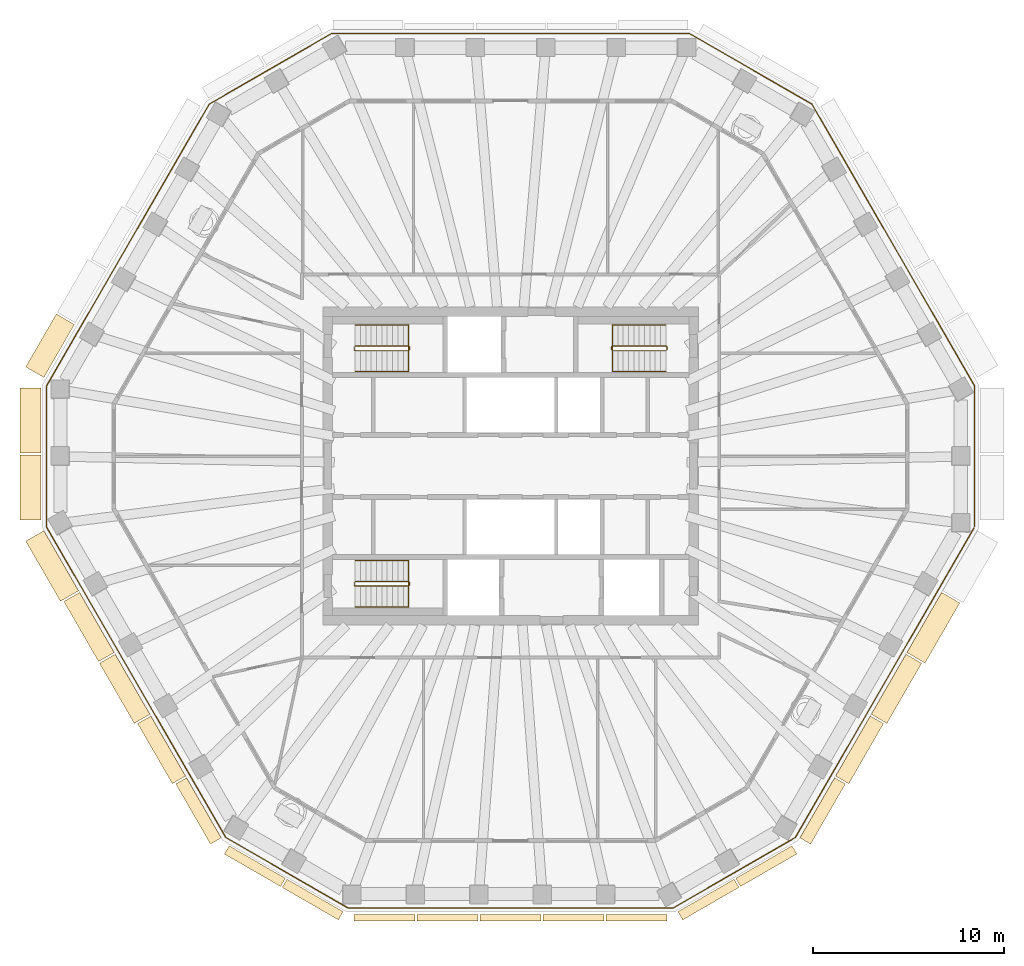
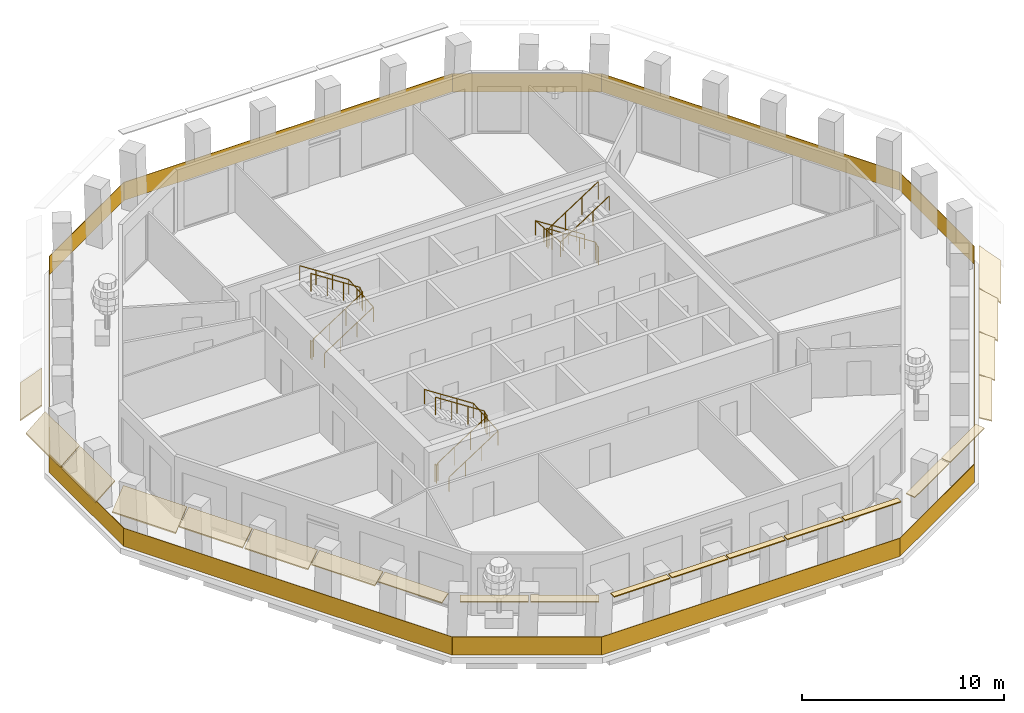
# One storey, part 8 of 11: 21 coverings, 7 railings.
"""IFC4 building model written with IfcOpenShell, lengths in metres."""

from ifc_helpers import new_model, si_unit, direction, frame, origin, origin_2d, place, context, subcontext, project, spatial, polyline, rectangle, circle, outline, extrude, material, layer, layer_set, type_object, element, save


model = new_model("IFC4")

# Units and contexts
model_context = context("Model", 3, precision=1e-05, world=origin(), true_north=direction((0.0, 1.0)))
body_context = subcontext(model_context, "Body", "Model", "MODEL_VIEW")
ifc_project = project(units=[si_unit("LENGTHUNIT", "METRE"), si_unit("AREAUNIT", "SQUARE_METRE"), si_unit("VOLUMEUNIT", "CUBIC_METRE"), si_unit("PLANEANGLEUNIT", "RADIAN"), si_unit("MASSUNIT", "GRAM", prefix="KILO")], contexts=[model_context])

# Site, building, storey
site_placement = place(None, origin())
site = spatial("IfcSite", under=ifc_project, at=site_placement, CompositionType="ELEMENT")
building_placement = place(site_placement, origin())
building = spatial("IfcBuilding", under=site, at=building_placement, Name="Frailejon Research Tower", CompositionType="ELEMENT")
storey_placement = place(building_placement, frame((0.0, 0.0, 279.0)))
storey = spatial("IfcBuildingStorey", under=building, at=storey_placement, Name="L61", CompositionType="ELEMENT", Elevation=279.0)

# Coverings
ifc_material_1 = material(Name="Precast concrete C50/60", Category="concrete")
ifc_layer_1 = layer(ifc_material_1, 0.06005859375)
ifc_layer_set_1 = layer_set([ifc_layer_1], Name="Brim blade depth 1100")
covering_type_1 = type_object("IfcCoveringType", Name="Brim blade depth 1100", PredefinedType="CLADDING", material=ifc_layer_set_1)
covering_1_placement = place(storey_placement, frame((-24.484375, 4.648681640625, 3.85009765625), z_axis=(0.500013043119, 0.866017873205, 0.0), x_axis=(-0.866017873205, 0.500013043119, 0.0)))
element("IfcCovering", 1, at=covering_1_placement, inside=storey, type_object=covering_type_1, Name="Brim blade L61", PredefinedType="CLADDING", context=body_context, shape_type="SweptSolid", body=[
    extrude(outline(polyline([(0.0, -0.078369140625), (1.10009765625, -1.001220703125), (1.10009765625, -0.923095703125), (0.0, 0.0), (0.0, -0.078369140625)])), origin(), (0.0, 0.0, 1.0), 3.20654296875),
])
covering_2_placement = place(storey_placement, frame((-24.63671875, 0.678466796875, 3.85009765625), z_axis=(0.0, 1.0, 0.0), x_axis=(-1.0, 0.0, 0.0)))
element("IfcCovering", 2, at=covering_2_placement, inside=storey, type_object=covering_type_1, Name="Brim blade L61", PredefinedType="CLADDING", context=body_context, shape_type="SweptSolid", body=[
    extrude(outline(polyline([(0.0, -0.078369140625), (1.10009765625, -1.001220703125), (1.10009765625, -0.923095703125), (0.0, 0.0), (0.0, -0.078369140625)])), origin(), (0.0, 0.0, 1.0), 3.402099609375),
])
covering_3_placement = place(storey_placement, frame((-24.63671875, -2.823486328125, 3.85009765625), z_axis=(0.0, 1.0, 0.0), x_axis=(-1.0, 0.0, 0.0)))
element("IfcCovering", 3, at=covering_3_placement, inside=storey, type_object=covering_type_1, Name="Brim blade L61", PredefinedType="CLADDING", context=body_context, shape_type="SweptSolid", body=[
    extrude(outline(polyline([(0.0, -0.078369140625), (1.10009765625, -1.001220703125), (1.10009765625, -0.923095703125), (0.0, 0.0), (0.0, -0.078369140625)])), origin(), (0.0, 0.0, 1.0), 3.40185546875),
])
covering_4_placement = place(storey_placement, frame((-22.663330078125, -6.5458984375, 3.85009765625), z_axis=(-0.499996188274, 0.866027604474, 0.0), x_axis=(-0.866027604474, -0.499996188274, 0.0)))
element("IfcCovering", 4, at=covering_4_placement, inside=storey, type_object=covering_type_1, Name="Brim blade L61", PredefinedType="CLADDING", context=body_context, shape_type="SweptSolid", body=[
    extrude(outline(polyline([(0.0, -0.078369140625), (1.10009765625, -1.001220703125), (1.10009765625, -0.923095703125), (0.0, 0.0), (0.0, -0.078369140625)])), origin(), (0.0, 0.0, 1.0), 3.64208984375),
])
covering_5_placement = place(storey_placement, frame((22.61328125, -6.63232421875, 3.85009765625), z_axis=(-0.500007760217, -0.866020923375, 0.0), x_axis=(0.866020923375, -0.500007760217, 0.0)))
element("IfcCovering", 5, at=covering_5_placement, inside=storey, type_object=covering_type_1, Name="Brim blade L61", PredefinedType="CLADDING", context=body_context, shape_type="SweptSolid", body=[
    extrude(outline(polyline([(0.0, -0.078369140625), (1.10009765625, -1.001220703125), (1.10009765625, -0.923095703125), (0.0, 0.0), (0.0, -0.078369140625)])), origin(), (0.0, 0.0, 1.0), 3.641845703125),
])
ifc_material_2 = material(Name="Precast concrete C50/60", Category="concrete")
ifc_layer_2 = layer(ifc_material_2, 0.06005859375)
ifc_layer_set_2 = layer_set([ifc_layer_2], Name="Brim blade depth 350")
covering_type_2 = type_object("IfcCoveringType", Name="Brim blade depth 350", PredefinedType="CLADDING", material=ifc_layer_set_2)
for number, where, z_axis, x_axis, name in (
    (6, (-5.009765625, -23.528564453125, 3.85009765625), (-1.0, 0.0, 0.0), (0.0, -1.0, 0.0), "Brim blade L61"),
    (7, (-1.703125, -23.528564453125, 3.85009765625), (-1.0, 0.0, 0.0), (0.0, -1.0, 0.0), "Brim blade L61"),
):
    element("IfcCovering", number, at=place(storey_placement, frame(where, z_axis=z_axis, x_axis=x_axis)), inside=storey, type_object=covering_type_2, Name=name, PredefinedType="CLADDING", context=body_context, shape_type="SweptSolid", body=[
        extrude(outline(polyline([(0.0, -0.06005859375), (0.35009765625, -0.06005859375), (0.35009765625, 0.0), (0.0, 0.0), (0.0, -0.06005859375)])), origin(), (0.0, 0.0, 1.0), 3.20654296875),
    ])
covering_6_placement = place(storey_placement, frame((1.603271484375, -23.528564453125, 3.85009765625), z_axis=(-1.0, 0.0, 0.0), x_axis=(0.0, -1.0, 0.0)))
element("IfcCovering", 8, at=covering_6_placement, inside=storey, type_object=covering_type_2, Name="Brim blade L61", PredefinedType="CLADDING", context=body_context, shape_type="SweptSolid", body=[
    extrude(outline(polyline([(0.0, -0.06005859375), (0.35009765625, -0.06005859375), (0.35009765625, 0.0), (0.0, 0.0), (0.0, -0.06005859375)])), origin(), (0.0, 0.0, 1.0), 3.206298828125),
])
for number, where, z_axis, x_axis, name in (
    (9, (4.90966796875, -23.528564453125, 3.85009765625), (-1.0, 0.0, 0.0), (0.0, -1.0, 0.0), "Brim blade L61"),
    (10, (8.21630859375, -23.528564453125, 3.85009765625), (-1.0, 0.0, 0.0), (0.0, -1.0, 0.0), "Brim blade L61"),
):
    element("IfcCovering", number, at=place(storey_placement, frame(where, z_axis=z_axis, x_axis=x_axis)), inside=storey, type_object=covering_type_2, Name=name, PredefinedType="CLADDING", context=body_context, shape_type="SweptSolid", body=[
        extrude(outline(polyline([(0.0, -0.06005859375), (0.35009765625, -0.06005859375), (0.35009765625, 0.0), (0.0, 0.0), (0.0, -0.06005859375)])), origin(), (0.0, 0.0, 1.0), 3.20654296875),
    ])
ifc_material_3 = material(Name="Precast concrete C50/60", Category="concrete")
ifc_layer_3 = layer(ifc_material_3, 0.06005859375)
ifc_layer_set_3 = layer_set([ifc_layer_3], Name="Brim blade depth 500")
covering_type_3 = type_object("IfcCoveringType", Name="Brim blade depth 500", PredefinedType="CLADDING", material=ifc_layer_set_3)
covering_7_placement = place(storey_placement, frame((-11.8173828125, -21.625244140625, 3.85009765625), z_axis=(-0.866036272098, 0.499981175056, 0.0), x_axis=(-0.499981175056, -0.866036272098, 0.0)))
element("IfcCovering", 11, at=covering_7_placement, inside=storey, type_object=covering_type_3, Name="Brim blade L61", PredefinedType="CLADDING", context=body_context, shape_type="SweptSolid", body=[
    extrude(outline(polyline([(0.0, -0.060546875), (0.5, -0.130859375), (0.5, -0.0703125), (0.0, 0.0), (0.0, -0.060546875)])), origin(), (0.0, 0.0, 1.0), 3.40185546875),
])
for number, where, z_axis, x_axis, name in (
    (12, (-8.784423828125, -23.376220703125, 3.85009765625), (-0.866023907216, 0.500002592124, 0.0), (-0.500002592124, -0.866023907216, 0.0), "Brim blade L61"),
    (13, (11.730712890625, -21.67529296875, 3.85009765625), (-0.866023907216, -0.500002592124, 0.0), (0.500002592124, -0.866023907216, 0.0), "Brim blade L61"),
):
    element("IfcCovering", number, at=place(storey_placement, frame(where, z_axis=z_axis, x_axis=x_axis)), inside=storey, type_object=covering_type_3, Name=name, PredefinedType="CLADDING", context=body_context, shape_type="SweptSolid", body=[
        extrude(outline(polyline([(0.0, -0.060546875), (0.5, -0.130859375), (0.5, -0.0703125), (0.0, 0.0), (0.0, -0.060546875)])), origin(), (0.0, 0.0, 1.0), 3.402099609375),
    ])
covering_8_placement = place(storey_placement, frame((14.763427734375, -19.92431640625, 3.85009765625), z_axis=(-0.866036272098, -0.499981175056, 0.0), x_axis=(0.499981175056, -0.866036272098, 0.0)))
element("IfcCovering", 14, at=covering_8_placement, inside=storey, type_object=covering_type_3, Name="Brim blade L61", PredefinedType="CLADDING", context=body_context, shape_type="SweptSolid", body=[
    extrude(outline(polyline([(0.0, -0.060546875), (0.5, -0.130859375), (0.5, -0.0703125), (0.0, 0.0), (0.0, -0.060546875)])), origin(), (0.0, 0.0, 1.0), 3.40185546875),
])
ifc_material_4 = material(Name="Precast concrete C50/60", Category="concrete")
ifc_layer_4 = layer(ifc_material_4, 0.06005859375)
ifc_layer_set_4 = layer_set([ifc_layer_4], Name="Brim blade depth 650")
covering_type_4 = type_object("IfcCoveringType", Name="Brim blade depth 650", PredefinedType="CLADDING", material=ifc_layer_set_4)
for number, where, z_axis, x_axis, name in (
    (15, (-15.179443359375, -19.50830078125, 3.85009765625), (-0.499996188274, 0.866027604474, 0.0), (-0.866027604474, -0.499996188274, 0.0), "Brim blade L61"),
    (16, (17.00048828125, -16.354248046875, 3.85009765625), (-0.499996188274, -0.866027604474, 0.0), (0.866027604474, -0.499996188274, 0.0), "Brim blade L61"),
):
    element("IfcCovering", number, at=place(storey_placement, frame(where, z_axis=z_axis, x_axis=x_axis)), inside=storey, type_object=covering_type_4, Name=name, PredefinedType="CLADDING", context=body_context, shape_type="SweptSolid", body=[
        extrude(outline(polyline([(0.0, -0.0625), (0.64990234375, -0.248779296875), (0.64990234375, -0.186279296875), (0.0, 0.0), (0.0, -0.0625)])), origin(), (0.0, 0.0, 1.0), 3.64208984375),
    ])
ifc_material_5 = material(Name="Precast concrete C50/60", Category="concrete")
ifc_layer_5 = layer(ifc_material_5, 0.06005859375)
ifc_layer_set_5 = layer_set([ifc_layer_5], Name="Brim blade depth 800")
covering_type_5 = type_object("IfcCoveringType", Name="Brim blade depth 800", PredefinedType="CLADDING", material=ifc_layer_set_5)
for number, where, z_axis, x_axis, name in (
    (17, (-17.050537109375, -16.267578125, 3.85009765625), (-0.500007760217, 0.866020923375, 0.0), (-0.866020923375, -0.500007760217, 0.0), "Brim blade L61"),
    (18, (18.87158203125, -13.113525390625, 3.85009765625), (-0.500007760217, -0.866020923375, 0.0), (0.866020923375, -0.500007760217, 0.0), "Brim blade L61"),
):
    element("IfcCovering", number, at=place(storey_placement, frame(where, z_axis=z_axis, x_axis=x_axis)), inside=storey, type_object=covering_type_5, Name=name, PredefinedType="CLADDING", context=body_context, shape_type="SweptSolid", body=[
        extrude(outline(polyline([(0.0, -0.065673828125), (0.800048828125, -0.421875), (0.800048828125, -0.356201171875), (0.0, 0.0), (0.0, -0.065673828125)])), origin(), (0.0, 0.0, 1.0), 3.641845703125),
    ])
ifc_material_6 = material(Name="Precast concrete C50/60", Category="concrete")
ifc_layer_6 = layer(ifc_material_6, 0.06005859375)
ifc_layer_set_6 = layer_set([ifc_layer_6], Name="Brim blade depth 950")
covering_type_6 = type_object("IfcCoveringType", Name="Brim blade depth 950", PredefinedType="CLADDING", material=ifc_layer_set_6)
for number, where, z_axis, x_axis, name in (
    (19, (-20.79248046875, -9.786376953125, 3.85009765625), (-0.500007760217, 0.866020923375, 0.0), (-0.866020923375, -0.500007760217, 0.0), "Brim blade L61"),
    (20, (-18.92138671875, -13.027099609375, 3.85009765625), (-0.499987717113, 0.866032495196, 0.0), (-0.866032495196, -0.499987717113, 0.0), "Brim blade L61"),
    (21, (20.742431640625, -9.873046875, 3.85009765625), (-0.499987717113, -0.866032495196, 0.0), (0.866032495196, -0.499987717113, 0.0), "Brim blade L61"),
):
    element("IfcCovering", number, at=place(storey_placement, frame(where, z_axis=z_axis, x_axis=x_axis)), inside=storey, type_object=covering_type_6, Name=name, PredefinedType="CLADDING", context=body_context, shape_type="SweptSolid", body=[
        extrude(outline(polyline([(0.0, -0.07080078125), (0.949951171875, -0.664306640625), (0.949951171875, -0.593505859375), (0.0, 0.0), (0.0, -0.07080078125)])), origin(), (0.0, 0.0, 1.0), 3.641845703125),
    ])

# Railings
ifc_material_7 = material(Name="Laminated glass balustrade", Category="glass")
railing_type_1 = type_object("IfcRailingType", Name="Glass guard 1100", PredefinedType="GUARDRAIL", material=ifc_material_7)
railing_1_placement = place(storey_placement, frame((24.345947265625, -3.1953125, 0.0)))
element("IfcRailing", 22, at=railing_1_placement, inside=storey, type_object=railing_type_1, Name="Loggia guard L61", PredefinedType="GUARDRAIL", context=body_context, shape_type="SweptSolid", body=[
    extrude(rectangle(XDim=7.396240234375, YDim=0.030029296875, at=origin_2d()), frame((0.0, 3.6982421875, 0.0), z_axis=(0.0, 0.0, 1.0), x_axis=(0.0, 1.0, 0.0)), (0.0, 0.0, 1.0), 1.10009765625),
    extrude(rectangle(XDim=17.06982421875, YDim=0.030029296875, at=origin_2d()), frame((-4.267578125, 14.78759765625, 0.0), z_axis=(0.0, 0.0, 1.0), x_axis=(-0.499998539546, 0.866026246976, 0.0)), (0.0, 0.0, 1.0), 1.10009765625),
    extrude(rectangle(XDim=7.396240234375, YDim=0.030029296875, at=origin_2d()), frame((-11.737548828125, 24.0283203125, 0.0), z_axis=(0.0, 0.0, 1.0), x_axis=(-0.866030573133, 0.49999104632, 0.0)), (0.0, 0.0, 1.0), 1.10009765625),
    extrude(rectangle(XDim=18.8115234375, YDim=0.030029296875, at=origin_2d()), frame((-24.345947265625, 25.877197265625, 0.0), z_axis=(0.0, 0.0, 1.0), x_axis=(-1.0, 0.0, 0.0)), (0.0, 0.0, 1.0), 1.10009765625),
    extrude(rectangle(XDim=7.396240234375, YDim=0.030029296875, at=origin_2d()), frame((-36.954345703125, 24.0283203125, 0.0), z_axis=(0.0, 0.0, 1.0), x_axis=(-0.866030573133, -0.49999104632, 0.0)), (0.0, 0.0, 1.0), 1.10009765625),
    extrude(rectangle(XDim=17.06982421875, YDim=0.030029296875, at=origin_2d()), frame((-44.42431640625, 14.78759765625, 0.0), z_axis=(0.0, 0.0, 1.0), x_axis=(-0.499998539546, -0.866026246976, 0.0)), (0.0, 0.0, 1.0), 1.10009765625),
    extrude(rectangle(XDim=7.396240234375, YDim=0.030029296875, at=origin_2d()), frame((-48.69189453125, 3.6982421875, 0.0), z_axis=(0.0, 0.0, 1.0), x_axis=(0.0, -1.0, 0.0)), (0.0, 0.0, 1.0), 1.10009765625),
    extrude(rectangle(XDim=18.8115234375, YDim=0.030029296875, at=origin_2d()), frame((-43.989013671875, -8.1455078125, 0.0), z_axis=(0.0, 0.0, 1.0), x_axis=(0.4999999405, -0.866025438137, 0.0)), (0.0, 0.0, 1.0), 1.10009765625),
    extrude(rectangle(XDim=7.396240234375, YDim=0.030029296875, at=origin_2d()), frame((-36.08349609375, -18.140380859375, 0.0), z_axis=(0.0, 0.0, 1.0), x_axis=(0.866016279763, -0.500015802937, 0.0)), (0.0, 0.0, 1.0), 1.10009765625),
    extrude(rectangle(XDim=17.06982421875, YDim=0.030029296875, at=origin_2d()), frame((-24.345947265625, -19.989501953125, 0.0), z_axis=(0.0, 0.0, 1.0), x_axis=(1.0, 0.0, 0.0)), (0.0, 0.0, 1.0), 1.10009765625),
    extrude(rectangle(XDim=7.396240234375, YDim=0.030029296875, at=origin_2d()), frame((-12.6083984375, -18.140380859375, 0.0), z_axis=(0.0, 0.0, 1.0), x_axis=(0.866016279763, 0.500015802937, 0.0)), (0.0, 0.0, 1.0), 1.10009765625),
    extrude(rectangle(XDim=18.74169921875, YDim=0.030029296875, at=origin_2d()), frame((-4.72021484375, -8.17578125, 0.0), z_axis=(0.0, 0.0, 1.0), x_axis=(0.500001726883, 0.866024406766, 0.0)), (0.0, 0.0, 1.0), 1.10009765625),
])
ifc_material_8 = material(Name="Stainless steel", Category="steel")
railing_type_2 = type_object("IfcRailingType", Name="Stair guard 1100", PredefinedType="GUARDRAIL", material=ifc_material_8)
railing_2_placement = place(storey_placement, frame((-8.199951171875, 6.25, 0.0)))
element("IfcRailing", 23, at=railing_2_placement, inside=storey, type_object=railing_type_2, Name="L61 ST1 stair guard 1", PredefinedType="GUARDRAIL", context=body_context, shape_type="SweptSolid", body=[
    extrude(circle(Radius=0.02392578125, at=origin_2d()), frame((0.0, 0.0, 1.076171875), z_axis=(0.0, -1.0, 0.0), x_axis=(1.0, 0.0, 0.0)), (0.0, 0.0, 1.0), 0.14990234375),
    extrude(circle(Radius=0.02392578125, at=origin_2d()), frame((0.0, -0.14990234375, 1.076171875), z_axis=(0.256435381639, -0.256435381639, 0.931923704005), x_axis=(0.707106781187, 0.707106781187, 0.0)), (0.0, 0.0, 1.0), 0.195068359375),
    extrude(circle(Radius=0.02392578125, at=origin_2d()), frame((0.050048828125, -0.199951171875, 1.2578125), z_axis=(0.83868413941, 0.0, 0.544618136222), x_axis=(0.0, 1.0, 0.0)), (0.0, 0.0, 1.0), 3.33837890625),
    extrude(circle(Radius=0.02392578125, at=origin_2d()), frame((2.849853515625, -0.199951171875, 3.076171875), z_axis=(0.707106781187, 0.707106781187, 0.0), x_axis=(-0.707106781187, 0.707106781187, 0.0)), (0.0, 0.0, 1.0), 0.07080078125),
    extrude(circle(Radius=0.02392578125, at=origin_2d()), frame((2.89990234375, -0.14990234375, 3.076171875), z_axis=(0.0, 1.0, 0.0), x_axis=(-1.0, 0.0, 0.0)), (0.0, 0.0, 1.0), 0.14990234375),
    extrude(circle(Radius=0.02392578125, at=origin_2d()), frame((2.89990234375, 0.0, 3.076171875), z_axis=(-0.256435381639, 0.256435381639, 0.931923704005), x_axis=(-0.707106781187, -0.707106781187, 0.0)), (0.0, 0.0, 1.0), 0.195068359375),
    extrude(circle(Radius=0.02392578125, at=origin_2d()), frame((2.849853515625, 0.050048828125, 3.2578125), z_axis=(-0.83868413941, 0.0, 0.544618136222), x_axis=(0.0, -1.0, 0.0)), (0.0, 0.0, 1.0), 3.33837890625),
    extrude(circle(Radius=0.02099609375, at=origin_2d()), origin(), (0.0, 0.0, 1.0), 1.052001953125),
    extrude(circle(Radius=0.02099609375, at=origin_2d()), frame((0.0, -0.14990234375, 0.0)), (0.0, 0.0, 1.0), 1.052001953125),
    extrude(circle(Radius=0.02099609375, at=origin_2d()), frame((0.050048828125, -0.199951171875, 0.181884765625)), (0.0, 0.0, 1.0), 1.052001953125),
    extrude(circle(Radius=0.02099609375, at=origin_2d()), frame((0.9833984375, -0.199951171875, 0.787841796875)), (0.0, 0.0, 1.0), 1.052001953125),
    extrude(circle(Radius=0.02099609375, at=origin_2d()), frame((1.91650390625, -0.199951171875, 1.39404296875)), (0.0, 0.0, 1.0), 1.052001953125),
    extrude(circle(Radius=0.02099609375, at=origin_2d()), frame((2.849853515625, -0.199951171875, 2.0)), (0.0, 0.0, 1.0), 1.052001953125),
    extrude(circle(Radius=0.02099609375, at=origin_2d()), frame((2.89990234375, -0.14990234375, 2.0)), (0.0, 0.0, 1.0), 1.052001953125),
    extrude(circle(Radius=0.02099609375, at=origin_2d()), frame((2.89990234375, 0.0, 2.0)), (0.0, 0.0, 1.0), 1.052001953125),
    extrude(circle(Radius=0.02099609375, at=origin_2d()), frame((2.849853515625, 0.050048828125, 2.181884765625)), (0.0, 0.0, 1.0), 1.052001953125),
    extrude(circle(Radius=0.02099609375, at=origin_2d()), frame((1.91650390625, 0.050048828125, 2.787841796875)), (0.0, 0.0, 1.0), 1.052001953125),
    extrude(circle(Radius=0.02099609375, at=origin_2d()), frame((0.9833984375, 0.050048828125, 3.39404296875)), (0.0, 0.0, 1.0), 1.052001953125),
    extrude(circle(Radius=0.02099609375, at=origin_2d()), frame((0.050048828125, 0.050048828125, 4.0)), (0.0, 0.0, 1.0), 1.052001953125),
])
railing_3_placement = place(storey_placement, frame((-8.199951171875, -6.10009765625, 0.0)))
element("IfcRailing", 24, at=railing_3_placement, inside=storey, type_object=railing_type_2, Name="L61 ST2 stair guard 1", PredefinedType="GUARDRAIL", context=body_context, shape_type="SweptSolid", body=[
    extrude(circle(Radius=0.02392578125, at=origin_2d()), frame((0.0, 0.0, 1.076171875), z_axis=(0.0, -1.0, 0.0), x_axis=(1.0, 0.0, 0.0)), (0.0, 0.0, 1.0), 0.14990234375),
    extrude(circle(Radius=0.02392578125, at=origin_2d()), frame((0.0, -0.14990234375, 1.076171875), z_axis=(0.256435381639, -0.256435381639, 0.931923704005), x_axis=(0.707106781187, 0.707106781187, 0.0)), (0.0, 0.0, 1.0), 0.195068359375),
    extrude(circle(Radius=0.02392578125, at=origin_2d()), frame((0.050048828125, -0.199951171875, 1.2578125), z_axis=(0.83868413941, 0.0, 0.544618136222), x_axis=(0.0, 1.0, 0.0)), (0.0, 0.0, 1.0), 3.33837890625),
    extrude(circle(Radius=0.02392578125, at=origin_2d()), frame((2.849853515625, -0.199951171875, 3.076171875), z_axis=(0.707106781187, 0.707106781187, 0.0), x_axis=(-0.707106781187, 0.707106781187, 0.0)), (0.0, 0.0, 1.0), 0.07080078125),
    extrude(circle(Radius=0.02392578125, at=origin_2d()), frame((2.89990234375, -0.14990234375, 3.076171875), z_axis=(0.0, 1.0, 0.0), x_axis=(-1.0, 0.0, 0.0)), (0.0, 0.0, 1.0), 0.14990234375),
    extrude(circle(Radius=0.02392578125, at=origin_2d()), frame((2.89990234375, 0.0, 3.076171875), z_axis=(-0.256435381639, 0.256435381639, 0.931923704005), x_axis=(-0.707106781187, -0.707106781187, 0.0)), (0.0, 0.0, 1.0), 0.195068359375),
    extrude(circle(Radius=0.02392578125, at=origin_2d()), frame((2.849853515625, 0.050048828125, 3.2578125), z_axis=(-0.83868413941, 0.0, 0.544618136222), x_axis=(0.0, -1.0, 0.0)), (0.0, 0.0, 1.0), 3.33837890625),
    extrude(circle(Radius=0.02099609375, at=origin_2d()), origin(), (0.0, 0.0, 1.0), 1.052001953125),
    extrude(circle(Radius=0.02099609375, at=origin_2d()), frame((0.0, -0.14990234375, 0.0)), (0.0, 0.0, 1.0), 1.052001953125),
    extrude(circle(Radius=0.02099609375, at=origin_2d()), frame((0.050048828125, -0.199951171875, 0.181884765625)), (0.0, 0.0, 1.0), 1.052001953125),
    extrude(circle(Radius=0.02099609375, at=origin_2d()), frame((0.9833984375, -0.199951171875, 0.787841796875)), (0.0, 0.0, 1.0), 1.052001953125),
    extrude(circle(Radius=0.02099609375, at=origin_2d()), frame((1.91650390625, -0.199951171875, 1.39404296875)), (0.0, 0.0, 1.0), 1.052001953125),
    extrude(circle(Radius=0.02099609375, at=origin_2d()), frame((2.849853515625, -0.199951171875, 2.0)), (0.0, 0.0, 1.0), 1.052001953125),
    extrude(circle(Radius=0.02099609375, at=origin_2d()), frame((2.89990234375, -0.14990234375, 2.0)), (0.0, 0.0, 1.0), 1.052001953125),
    extrude(circle(Radius=0.02099609375, at=origin_2d()), frame((2.89990234375, 0.0, 2.0)), (0.0, 0.0, 1.0), 1.052001953125),
    extrude(circle(Radius=0.02099609375, at=origin_2d()), frame((2.849853515625, 0.050048828125, 2.181884765625)), (0.0, 0.0, 1.0), 1.052001953125),
    extrude(circle(Radius=0.02099609375, at=origin_2d()), frame((1.91650390625, 0.050048828125, 2.787841796875)), (0.0, 0.0, 1.0), 1.052001953125),
    extrude(circle(Radius=0.02099609375, at=origin_2d()), frame((0.9833984375, 0.050048828125, 3.39404296875)), (0.0, 0.0, 1.0), 1.052001953125),
    extrude(circle(Radius=0.02099609375, at=origin_2d()), frame((0.050048828125, 0.050048828125, 4.0)), (0.0, 0.0, 1.0), 1.052001953125),
])
railing_4_placement = place(storey_placement, frame((8.199951171875, 6.10009765625, 0.0)))
element("IfcRailing", 25, at=railing_4_placement, inside=storey, type_object=railing_type_2, Name="L61 ST3 stair guard 1", PredefinedType="GUARDRAIL", context=body_context, shape_type="SweptSolid", body=[
    extrude(circle(Radius=0.02392578125, at=origin_2d()), frame((0.0, 0.0, 1.076171875), z_axis=(0.0, 1.0, 0.0), x_axis=(-1.0, 0.0, 0.0)), (0.0, 0.0, 1.0), 0.14990234375),
    extrude(circle(Radius=0.02392578125, at=origin_2d()), frame((0.0, 0.14990234375, 1.076171875), z_axis=(-0.256435381639, 0.256435381639, 0.931923704005), x_axis=(-0.707106781187, -0.707106781187, 0.0)), (0.0, 0.0, 1.0), 0.195068359375),
    extrude(circle(Radius=0.02392578125, at=origin_2d()), frame((-0.050048828125, 0.199951171875, 1.2578125), z_axis=(-0.83868413941, 0.0, 0.544618136222), x_axis=(0.0, -1.0, 0.0)), (0.0, 0.0, 1.0), 3.33837890625),
    extrude(circle(Radius=0.02392578125, at=origin_2d()), frame((-2.849853515625, 0.199951171875, 3.076171875), z_axis=(-0.707106781187, -0.707106781187, 0.0), x_axis=(0.707106781187, -0.707106781187, 0.0)), (0.0, 0.0, 1.0), 0.07080078125),
    extrude(circle(Radius=0.02392578125, at=origin_2d()), frame((-2.89990234375, 0.14990234375, 3.076171875), z_axis=(0.0, -1.0, 0.0), x_axis=(1.0, 0.0, 0.0)), (0.0, 0.0, 1.0), 0.14990234375),
    extrude(circle(Radius=0.02392578125, at=origin_2d()), frame((-2.89990234375, 0.0, 3.076171875), z_axis=(0.256435381639, -0.256435381639, 0.931923704005), x_axis=(0.707106781187, 0.707106781187, 0.0)), (0.0, 0.0, 1.0), 0.195068359375),
    extrude(circle(Radius=0.02392578125, at=origin_2d()), frame((-2.849853515625, -0.050048828125, 3.2578125), z_axis=(0.83868413941, 0.0, 0.544618136222), x_axis=(0.0, 1.0, 0.0)), (0.0, 0.0, 1.0), 3.33837890625),
    extrude(circle(Radius=0.02099609375, at=origin_2d()), origin(), (0.0, 0.0, 1.0), 1.052001953125),
    extrude(circle(Radius=0.02099609375, at=origin_2d()), frame((0.0, 0.14990234375, 0.0)), (0.0, 0.0, 1.0), 1.052001953125),
    extrude(circle(Radius=0.02099609375, at=origin_2d()), frame((-0.050048828125, 0.199951171875, 0.181884765625)), (0.0, 0.0, 1.0), 1.052001953125),
    extrude(circle(Radius=0.02099609375, at=origin_2d()), frame((-0.9833984375, 0.199951171875, 0.787841796875)), (0.0, 0.0, 1.0), 1.052001953125),
    extrude(circle(Radius=0.02099609375, at=origin_2d()), frame((-1.91650390625, 0.199951171875, 1.39404296875)), (0.0, 0.0, 1.0), 1.052001953125),
    extrude(circle(Radius=0.02099609375, at=origin_2d()), frame((-2.849853515625, 0.199951171875, 2.0)), (0.0, 0.0, 1.0), 1.052001953125),
    extrude(circle(Radius=0.02099609375, at=origin_2d()), frame((-2.89990234375, 0.14990234375, 2.0)), (0.0, 0.0, 1.0), 1.052001953125),
    extrude(circle(Radius=0.02099609375, at=origin_2d()), frame((-2.89990234375, 0.0, 2.0)), (0.0, 0.0, 1.0), 1.052001953125),
    extrude(circle(Radius=0.02099609375, at=origin_2d()), frame((-2.849853515625, -0.050048828125, 2.181884765625)), (0.0, 0.0, 1.0), 1.052001953125),
    extrude(circle(Radius=0.02099609375, at=origin_2d()), frame((-1.91650390625, -0.050048828125, 2.787841796875)), (0.0, 0.0, 1.0), 1.052001953125),
    extrude(circle(Radius=0.02099609375, at=origin_2d()), frame((-0.9833984375, -0.050048828125, 3.39404296875)), (0.0, 0.0, 1.0), 1.052001953125),
    extrude(circle(Radius=0.02099609375, at=origin_2d()), frame((-0.050048828125, -0.050048828125, 4.0)), (0.0, 0.0, 1.0), 1.052001953125),
])
ifc_material_9 = material(Name="Stainless steel", Category="steel")
railing_type_3 = type_object("IfcRailingType", Name="Stair handrail 900", PredefinedType="HANDRAIL", material=ifc_material_9)
railing_5_placement = place(storey_placement, frame((-8.14990234375, 4.949951171875, 0.181884765625)))
element("IfcRailing", 26, at=railing_5_placement, inside=storey, type_object=railing_type_3, Name="L61 ST1 stair handrail 1", PredefinedType="HANDRAIL", context=body_context, shape_type="SweptSolid", body=[
    extrude(circle(Radius=0.02392578125, at=origin_2d()), frame((0.0, 0.0, 0.8759765625), z_axis=(0.83868413941, 0.0, 0.544618136222), x_axis=(0.0, 1.0, 0.0)), (0.0, 0.0, 1.0), 3.33837890625),
    extrude(circle(Radius=0.02392578125, at=origin_2d()), frame((2.7998046875, 0.0, 2.69384765625), z_axis=(0.0, 0.997255538948, 0.074036410216), x_axis=(-1.0, 0.0, 0.0)), (0.0, 0.0, 1.0), 2.456787109375),
    extrude(circle(Radius=0.02392578125, at=origin_2d()), frame((2.7998046875, 2.449951171875, 2.8759765625), z_axis=(-0.83868413941, 0.0, 0.544618136222), x_axis=(0.0, -1.0, 0.0)), (0.0, 0.0, 1.0), 3.33837890625),
    extrude(circle(Radius=0.02099609375, at=origin_2d()), origin(), (0.0, 0.0, 1.0), 0.851806640625),
    extrude(circle(Radius=0.02099609375, at=origin_2d()), frame((0.933349609375, 0.0, 0.60595703125)), (0.0, 0.0, 1.0), 0.851806640625),
    extrude(circle(Radius=0.02099609375, at=origin_2d()), frame((1.866455078125, 0.0, 1.212158203125)), (0.0, 0.0, 1.0), 0.851806640625),
    extrude(circle(Radius=0.02099609375, at=origin_2d()), frame((2.7998046875, 0.0, 1.818115234375)), (0.0, 0.0, 1.0), 0.851806640625),
    extrude(circle(Radius=0.02099609375, at=origin_2d()), frame((2.7998046875, 0.816650390625, 1.878662109375)), (0.0, 0.0, 1.0), 0.851806640625),
    extrude(circle(Radius=0.02099609375, at=origin_2d()), frame((2.7998046875, 1.63330078125, 1.939453125)), (0.0, 0.0, 1.0), 0.851806640625),
    extrude(circle(Radius=0.02099609375, at=origin_2d()), frame((2.7998046875, 2.449951171875, 2.0)), (0.0, 0.0, 1.0), 0.851806640625),
    extrude(circle(Radius=0.02099609375, at=origin_2d()), frame((1.866455078125, 2.449951171875, 2.60595703125)), (0.0, 0.0, 1.0), 0.851806640625),
    extrude(circle(Radius=0.02099609375, at=origin_2d()), frame((0.933349609375, 2.449951171875, 3.212158203125)), (0.0, 0.0, 1.0), 0.851806640625),
    extrude(circle(Radius=0.02099609375, at=origin_2d()), frame((0.0, 2.449951171875, 3.818115234375)), (0.0, 0.0, 1.0), 0.851806640625),
])
railing_6_placement = place(storey_placement, frame((-8.14990234375, -7.39990234375, 0.181884765625)))
element("IfcRailing", 27, at=railing_6_placement, inside=storey, type_object=railing_type_3, Name="L61 ST2 stair handrail 1", PredefinedType="HANDRAIL", context=body_context, shape_type="SweptSolid", body=[
    extrude(circle(Radius=0.02392578125, at=origin_2d()), frame((0.0, 0.0, 0.8759765625), z_axis=(0.83868413941, 0.0, 0.544618136222), x_axis=(0.0, 1.0, 0.0)), (0.0, 0.0, 1.0), 3.33837890625),
    extrude(circle(Radius=0.02392578125, at=origin_2d()), frame((2.7998046875, 0.0, 2.69384765625), z_axis=(0.0, 0.997255538948, 0.074036410216), x_axis=(-1.0, 0.0, 0.0)), (0.0, 0.0, 1.0), 2.456787109375),
    extrude(circle(Radius=0.02392578125, at=origin_2d()), frame((2.7998046875, 2.449951171875, 2.8759765625), z_axis=(-0.83868413941, 0.0, 0.544618136222), x_axis=(0.0, -1.0, 0.0)), (0.0, 0.0, 1.0), 3.33837890625),
    extrude(circle(Radius=0.02099609375, at=origin_2d()), origin(), (0.0, 0.0, 1.0), 0.851806640625),
    extrude(circle(Radius=0.02099609375, at=origin_2d()), frame((0.933349609375, 0.0, 0.60595703125)), (0.0, 0.0, 1.0), 0.851806640625),
    extrude(circle(Radius=0.02099609375, at=origin_2d()), frame((1.866455078125, 0.0, 1.212158203125)), (0.0, 0.0, 1.0), 0.851806640625),
    extrude(circle(Radius=0.02099609375, at=origin_2d()), frame((2.7998046875, 0.0, 1.818115234375)), (0.0, 0.0, 1.0), 0.851806640625),
    extrude(circle(Radius=0.02099609375, at=origin_2d()), frame((2.7998046875, 0.816650390625, 1.878662109375)), (0.0, 0.0, 1.0), 0.851806640625),
    extrude(circle(Radius=0.02099609375, at=origin_2d()), frame((2.7998046875, 1.63330078125, 1.939453125)), (0.0, 0.0, 1.0), 0.851806640625),
    extrude(circle(Radius=0.02099609375, at=origin_2d()), frame((2.7998046875, 2.449951171875, 2.0)), (0.0, 0.0, 1.0), 0.851806640625),
    extrude(circle(Radius=0.02099609375, at=origin_2d()), frame((1.866455078125, 2.449951171875, 2.60595703125)), (0.0, 0.0, 1.0), 0.851806640625),
    extrude(circle(Radius=0.02099609375, at=origin_2d()), frame((0.933349609375, 2.449951171875, 3.212158203125)), (0.0, 0.0, 1.0), 0.851806640625),
    extrude(circle(Radius=0.02099609375, at=origin_2d()), frame((0.0, 2.449951171875, 3.818115234375)), (0.0, 0.0, 1.0), 0.851806640625),
])
railing_7_placement = place(storey_placement, frame((8.14990234375, 7.39990234375, 0.181884765625)))
element("IfcRailing", 28, at=railing_7_placement, inside=storey, type_object=railing_type_3, Name="L61 ST3 stair handrail 1", PredefinedType="HANDRAIL", context=body_context, shape_type="SweptSolid", body=[
    extrude(circle(Radius=0.02392578125, at=origin_2d()), frame((0.0, 0.0, 0.8759765625), z_axis=(-0.83868413941, 0.0, 0.544618136222), x_axis=(0.0, -1.0, 0.0)), (0.0, 0.0, 1.0), 3.33837890625),
    extrude(circle(Radius=0.02392578125, at=origin_2d()), frame((-2.7998046875, 0.0, 2.69384765625), z_axis=(0.0, -0.997255538948, 0.074036410216), x_axis=(1.0, 0.0, 0.0)), (0.0, 0.0, 1.0), 2.456787109375),
    extrude(circle(Radius=0.02392578125, at=origin_2d()), frame((-2.7998046875, -2.449951171875, 2.8759765625), z_axis=(0.83868413941, 0.0, 0.544618136222), x_axis=(0.0, 1.0, 0.0)), (0.0, 0.0, 1.0), 3.33837890625),
    extrude(circle(Radius=0.02099609375, at=origin_2d()), origin(), (0.0, 0.0, 1.0), 0.851806640625),
    extrude(circle(Radius=0.02099609375, at=origin_2d()), frame((-0.933349609375, 0.0, 0.60595703125)), (0.0, 0.0, 1.0), 0.851806640625),
    extrude(circle(Radius=0.02099609375, at=origin_2d()), frame((-1.866455078125, 0.0, 1.212158203125)), (0.0, 0.0, 1.0), 0.851806640625),
    extrude(circle(Radius=0.02099609375, at=origin_2d()), frame((-2.7998046875, 0.0, 1.818115234375)), (0.0, 0.0, 1.0), 0.851806640625),
    extrude(circle(Radius=0.02099609375, at=origin_2d()), frame((-2.7998046875, -0.816650390625, 1.878662109375)), (0.0, 0.0, 1.0), 0.851806640625),
    extrude(circle(Radius=0.02099609375, at=origin_2d()), frame((-2.7998046875, -1.63330078125, 1.939453125)), (0.0, 0.0, 1.0), 0.851806640625),
    extrude(circle(Radius=0.02099609375, at=origin_2d()), frame((-2.7998046875, -2.449951171875, 2.0)), (0.0, 0.0, 1.0), 0.851806640625),
    extrude(circle(Radius=0.02099609375, at=origin_2d()), frame((-1.866455078125, -2.449951171875, 2.60595703125)), (0.0, 0.0, 1.0), 0.851806640625),
    extrude(circle(Radius=0.02099609375, at=origin_2d()), frame((-0.933349609375, -2.449951171875, 3.212158203125)), (0.0, 0.0, 1.0), 0.851806640625),
    extrude(circle(Radius=0.02099609375, at=origin_2d()), frame((0.0, -2.449951171875, 3.818115234375)), (0.0, 0.0, 1.0), 0.851806640625),
])

save(model, "model.ifc")
